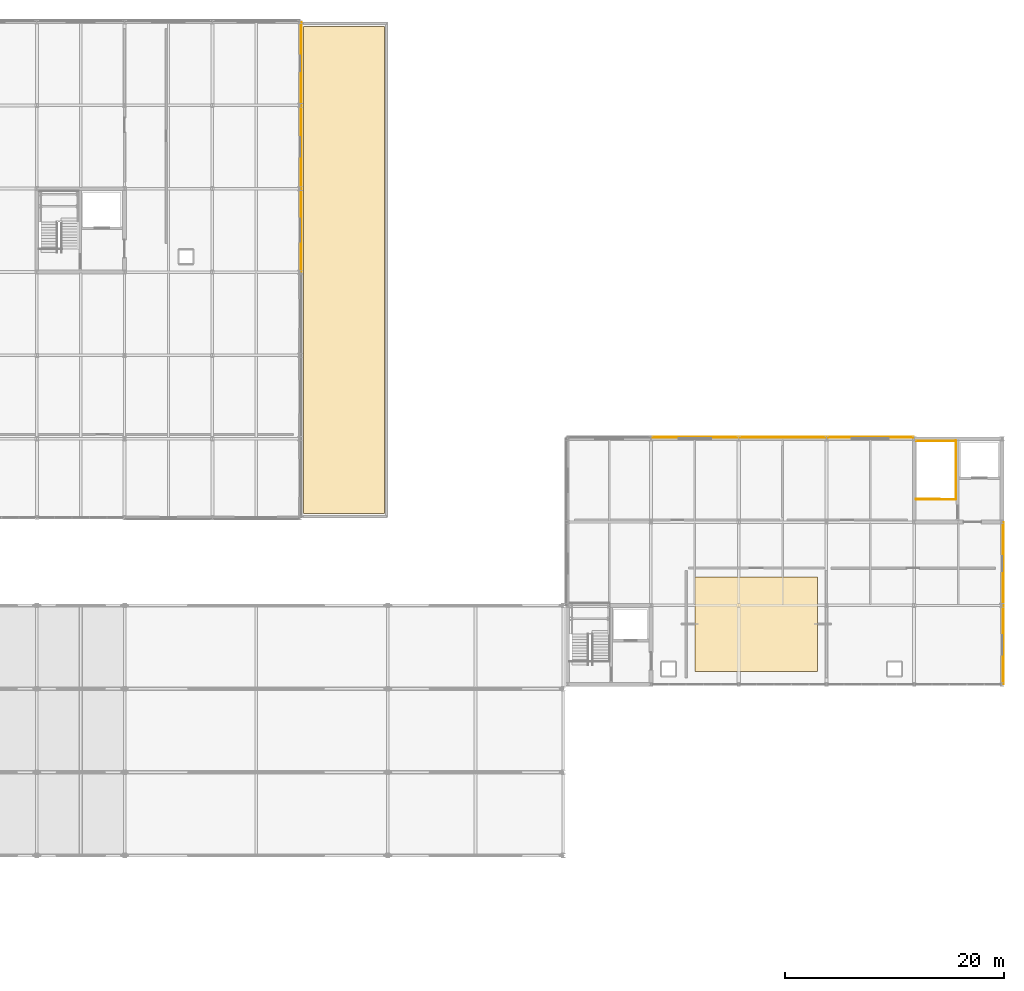
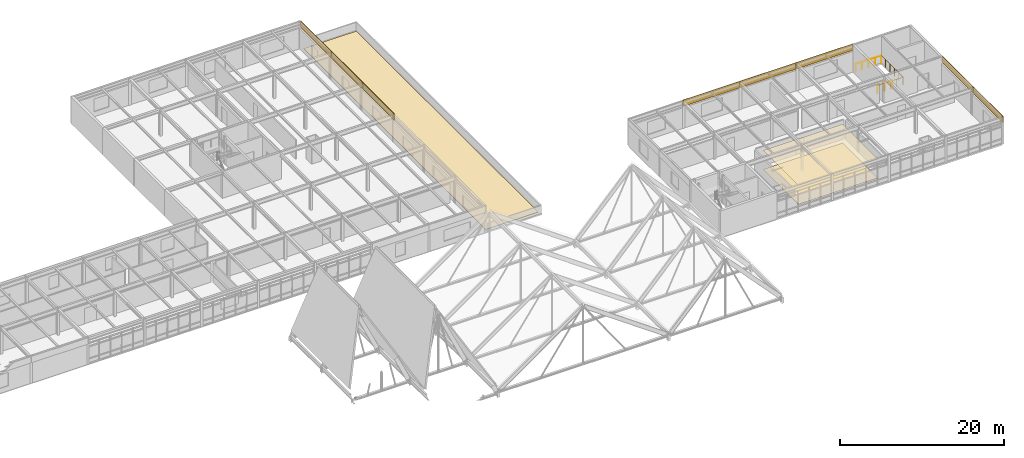
# One storey, part 85 of 85: 11 coverings, 3 railings.
"""IFC4 building model written with IfcOpenShell, lengths in metres."""

from ifc_helpers import new_model, si_unit, direction, frame, origin, origin_2d, place, context, subcontext, project, spatial, polyline, rectangle, circle, outline, extrude, material, layer, layer_set, type_object, element, save


model = new_model("IFC4")

# Units and contexts
model_context = context("Model", 3, precision=1e-05, world=origin(), true_north=direction((0.0, 1.0)))
body_context = subcontext(model_context, "Body", "Model", "MODEL_VIEW")
ifc_project = project(units=[si_unit("LENGTHUNIT", "METRE"), si_unit("AREAUNIT", "SQUARE_METRE"), si_unit("VOLUMEUNIT", "CUBIC_METRE"), si_unit("PLANEANGLEUNIT", "RADIAN"), si_unit("MASSUNIT", "GRAM", prefix="KILO")], contexts=[model_context])

# Site, building, storey
site_placement = place(None, origin())
site = spatial("IfcSite", under=ifc_project, at=site_placement, CompositionType="ELEMENT")
building_placement = place(site_placement, origin())
building = spatial("IfcBuilding", under=site, at=building_placement, Name="Zulena Civic Courthouse", CompositionType="ELEMENT")
storey_placement = place(building_placement, frame((0.0, 0.0, 25.199951171875)))
storey = spatial("IfcBuildingStorey", under=building, at=storey_placement, Name="L05", CompositionType="ELEMENT", Elevation=25.199951171875)

# Covering
ifc_material_1 = material(Name="Perforated acoustic mineral-fibre ceiling tile", Category="concrete")
ifc_layer_1 = layer(ifc_material_1, 0.02490234375)
ifc_layer_set_1 = layer_set([ifc_layer_1], Name="Perforated acoustic mineral-fibre ceiling tile")
covering_type_1 = type_object("IfcCoveringType", Name="AcousticCeiling_25", PredefinedType="CEILING", material=ifc_layer_set_1)
covering_1_placement = place(storey_placement, frame((0.0, 0.0, 2.820068359375)))
element("IfcCovering", 1, at=covering_1_placement, inside=storey, type_object=covering_type_1, Name="ceil:L05:284", PredefinedType="CEILING", context=body_context, shape_type="SweptSolid", body=[
    extrude(outline(polyline([(136.0, 32.0), (147.199951171875, 32.0), (147.199951171875, 40.60009765625), (136.0, 40.60009765625), (136.0, 32.0)])), origin(), (0.0, 0.0, 1.0), 0.02490234375),
])

# Railings
ifc_material_2 = material(Name="Brushed architectural steel ASTM A36", Category="steel")
railing_type = type_object("IfcRailingType", Name="InteriorGuardrail_1150", PredefinedType="GUARDRAIL", material=ifc_material_2)
railing_1_placement = place(storey_placement, frame((156.199951171875, 53.010009765625, 0.0)))
element("IfcRailing", 2, at=railing_1_placement, inside=storey, type_object=railing_type, Name="gr:wellN:K3B:L04", PredefinedType="GUARDRAIL", context=body_context, shape_type="SweptSolid", body=[
    extrude(circle(Radius=0.02392578125, at=origin_2d()), frame((0.00390625, 0.0, 1.1259765625), z_axis=(1.0, 0.0, 0.0), x_axis=(0.0, 1.0, 0.0)), (0.0, 0.0, 1.0), 3.592041015625),
    extrude(circle(Radius=0.02099609375, at=origin_2d()), origin(), (0.0, 0.0, 1.0), 1.097900390625),
    extrude(circle(Radius=0.02099609375, at=origin_2d()), frame((0.89990234375, 0.0, 0.0)), (0.0, 0.0, 1.0), 1.097900390625),
    extrude(circle(Radius=0.02099609375, at=origin_2d()), frame((1.800048828125, 0.0, 0.0)), (0.0, 0.0, 1.0), 1.097900390625),
    extrude(circle(Radius=0.02099609375, at=origin_2d()), frame((2.7001953125, 0.0, 0.0)), (0.0, 0.0, 1.0), 1.097900390625),
    extrude(circle(Radius=0.02099609375, at=origin_2d()), frame((3.60009765625, 0.0, 0.0)), (0.0, 0.0, 1.0), 1.097900390625),
])
railing_2_placement = place(storey_placement, frame((159.800048828125, 53.02001953125, 0.0)))
element("IfcRailing", 3, at=railing_2_placement, inside=storey, type_object=railing_type, Name="gr:topwell:K3B:L04", PredefinedType="GUARDRAIL", context=body_context, shape_type="SweptSolid", body=[
    extrude(circle(Radius=0.02392578125, at=origin_2d()), frame((0.0, -0.00390625, 1.1259765625), z_axis=(0.0, -1.0, 0.0), x_axis=(1.0, 0.0, 0.0)), (0.0, 0.0, 1.0), 5.33203125),
    extrude(circle(Radius=0.02392578125, at=origin_2d()), frame((-0.00390625, -5.340087890625, 1.1259765625), z_axis=(-1.0, 0.0, 0.0), x_axis=(0.0, -1.0, 0.0)), (0.0, 0.0, 1.0), 3.612060546875),
    extrude(circle(Radius=0.02099609375, at=origin_2d()), origin(), (0.0, 0.0, 1.0), 1.097900390625),
    extrude(circle(Radius=0.02099609375, at=origin_2d()), frame((0.0, -1.068115234375, 0.0)), (0.0, 0.0, 1.0), 1.097900390625),
    extrude(circle(Radius=0.02099609375, at=origin_2d()), frame((0.0, -2.135986328125, 0.0)), (0.0, 0.0, 1.0), 1.097900390625),
    extrude(circle(Radius=0.02099609375, at=origin_2d()), frame((0.0, -3.2041015625, 0.0)), (0.0, 0.0, 1.0), 1.097900390625),
    extrude(circle(Radius=0.02099609375, at=origin_2d()), frame((0.0, -4.27197265625, 0.0)), (0.0, 0.0, 1.0), 1.097900390625),
    extrude(circle(Radius=0.02099609375, at=origin_2d()), frame((0.0, -5.340087890625, 0.0)), (0.0, 0.0, 1.0), 1.097900390625),
    extrude(circle(Radius=0.02099609375, at=origin_2d()), frame((-0.905029296875, -5.340087890625, 0.0)), (0.0, 0.0, 1.0), 1.097900390625),
    extrude(circle(Radius=0.02099609375, at=origin_2d()), frame((-1.81005859375, -5.340087890625, 0.0)), (0.0, 0.0, 1.0), 1.097900390625),
    extrude(circle(Radius=0.02099609375, at=origin_2d()), frame((-2.715087890625, -5.340087890625, 0.0)), (0.0, 0.0, 1.0), 1.097900390625),
    extrude(circle(Radius=0.02099609375, at=origin_2d()), frame((-3.6201171875, -5.340087890625, 0.0)), (0.0, 0.0, 1.0), 1.097900390625),
])
railing_3_placement = place(storey_placement, frame((156.179931640625, 47.699951171875, 0.0)))
element("IfcRailing", 4, at=railing_3_placement, inside=storey, type_object=railing_type, Name="gr:wells:K3B:L05", PredefinedType="GUARDRAIL", context=body_context, shape_type="SweptSolid", body=[
    extrude(circle(Radius=0.02392578125, at=origin_2d()), frame((0.00390625, 0.0, 1.1259765625), z_axis=(1.0, 0.0, 0.0), x_axis=(0.0, 1.0, 0.0)), (0.0, 0.0, 1.0), 2.112060546875),
    extrude(circle(Radius=0.02099609375, at=origin_2d()), origin(), (0.0, 0.0, 1.0), 1.097900390625),
    extrude(circle(Radius=0.02099609375, at=origin_2d()), frame((1.06005859375, 0.0, 0.0)), (0.0, 0.0, 1.0), 1.097900390625),
    extrude(circle(Radius=0.02099609375, at=origin_2d()), frame((2.1201171875, 0.0, 0.0)), (0.0, 0.0, 1.0), 1.097900390625),
])

# Coverings
ifc_material_3 = material(Name="White architectural precast concrete C40/50", Category="concrete")
ifc_layer_2 = layer(ifc_material_3, 0.0849609375)
ifc_layer_set_2 = layer_set([ifc_layer_2], Name="White architectural precast concrete C40/50")
covering_type_2 = type_object("IfcCoveringType", Name="PrecastSpandrelCladding_85", PredefinedType="CLADDING", material=ifc_layer_set_2)
for number, where, z_axis, x_axis, name in (
    (5, (136.0, 53.320068359375, 3.06005859375), (0.0, 0.0, 1.0), (1.0, 0.0, 0.0), "clad:sp:V3:L05:1:1"),
    (6, (144.0, 53.320068359375, 3.06005859375), (0.0, 0.0, 1.0), (1.0, 0.0, 0.0), "clad:sp:V3:L05:1:2"),
    (7, (152.0, 53.320068359375, 3.06005859375), (0.0, 0.0, 1.0), (1.0, 0.0, 0.0), "clad:sp:V3:L05:1:3"),
):
    element("IfcCovering", number, at=place(storey_placement, frame(where, z_axis=z_axis, x_axis=x_axis)), inside=storey, type_object=covering_type_2, Name=name, PredefinedType="CLADDING", context=body_context, shape_type="SweptSolid", body=[
        extrude(rectangle(XDim=7.9599609375, YDim=0.0849609375, at=origin_2d()), origin(), (0.0, 0.0, 1.0), 0.93994140625),
    ])
covering_2_placement = place(storey_placement, frame((164.1201171875, 41.800048828125, 3.06005859375), z_axis=(0.0, 0.0, 1.0), x_axis=(0.0, -1.0, 0.0)))
element("IfcCovering", 8, at=covering_2_placement, inside=storey, type_object=covering_type_2, Name="clad:sp:V3:L05:2:1", PredefinedType="CLADDING", context=body_context, shape_type="SweptSolid", body=[
    extrude(rectangle(XDim=7.56005859375, YDim=0.0849609375, at=origin_2d()), origin(), (0.0, 0.0, 1.0), 0.93994140625),
])
covering_3_placement = place(storey_placement, frame((164.1201171875, 34.39990234375, 3.06005859375), z_axis=(0.0, 0.0, 1.0), x_axis=(0.0, -1.0, 0.0)))
element("IfcCovering", 9, at=covering_3_placement, inside=storey, type_object=covering_type_2, Name="clad:sp:V3:L05:2:2", PredefinedType="CLADDING", context=body_context, shape_type="SweptSolid", body=[
    extrude(rectangle(XDim=7.159912109375, YDim=0.0849609375, at=origin_2d()), origin(), (0.0, 0.0, 1.0), 0.93994140625),
])
for number, where, z_axis, x_axis, name in (
    (10, (100.1201171875, 87.39990234375, 3.06005859375), (0.0, 0.0, 1.0), (0.0, -1.0, 0.0), "clad:sp:V5:L05:4:0"),
    (11, (100.1201171875, 79.800048828125, 3.06005859375), (0.0, 0.0, 1.0), (0.0, -1.0, 0.0), "clad:sp:V5:L05:4:1"),
    (12, (100.1201171875, 72.199951171875, 3.06005859375), (0.0, 0.0, 1.0), (0.0, -1.0, 0.0), "clad:sp:V5:L05:4:2"),
):
    element("IfcCovering", number, at=place(storey_placement, frame(where, z_axis=z_axis, x_axis=x_axis)), inside=storey, type_object=covering_type_2, Name=name, PredefinedType="CLADDING", context=body_context, shape_type="SweptSolid", body=[
        extrude(rectangle(XDim=7.56005859375, YDim=0.0849609375, at=origin_2d()), origin(), (0.0, 0.0, 1.0), 0.93994140625),
    ])
ifc_material_4 = material(Name="Insulated standing-seam zinc-aluminium roofing", Category="aluminium")
ifc_layer_3 = layer(ifc_material_4, 0.06005859375)
ifc_layer_set_3 = layer_set([ifc_layer_3], Name="Insulated standing-seam zinc-aluminium roofing")
covering_type_3 = type_object("IfcCoveringType", Name="StandingSeamRoofing_60", PredefinedType="ROOFING", material=ifc_layer_set_3)
covering_4_placement = place(storey_placement, origin())
element("IfcCovering", 13, at=covering_4_placement, inside=storey, type_object=covering_type_3, Name="cov:roofing:V5ES", PredefinedType="ROOFING", context=body_context, shape_type="SweptSolid", body=[
    extrude(outline(polyline([(100.300048828125, 46.39990234375), (107.699951171875, 46.39990234375), (107.699951171875, 90.800048828125), (100.300048828125, 90.800048828125), (100.300048828125, 46.39990234375)])), origin(), (0.0, 0.0, 1.0), 0.06005859375),
])
ifc_material_5 = material(Name="Honed travertine stone flooring", Category="masonry")
ifc_layer_4 = layer(ifc_material_5, 0.030029296875)
ifc_layer_set_4 = layer_set([ifc_layer_4], Name="Honed travertine stone flooring")
covering_type_4 = type_object("IfcCoveringType", Name="TravertineFlooring_30", PredefinedType="FLOORING", material=ifc_layer_set_4)
covering_5_placement = place(storey_placement, origin())
element("IfcCovering", 14, at=covering_5_placement, inside=storey, type_object=covering_type_4, Name="floor:L05:284", PredefinedType="FLOORING", context=body_context, shape_type="SweptSolid", body=[
    extrude(outline(polyline([(136.0, 32.0), (147.199951171875, 32.0), (147.199951171875, 40.60009765625), (136.0, 40.60009765625), (136.0, 32.0)])), origin(), (0.0, 0.0, 1.0), 0.030029296875),
])

save(model, "model.ifc")
